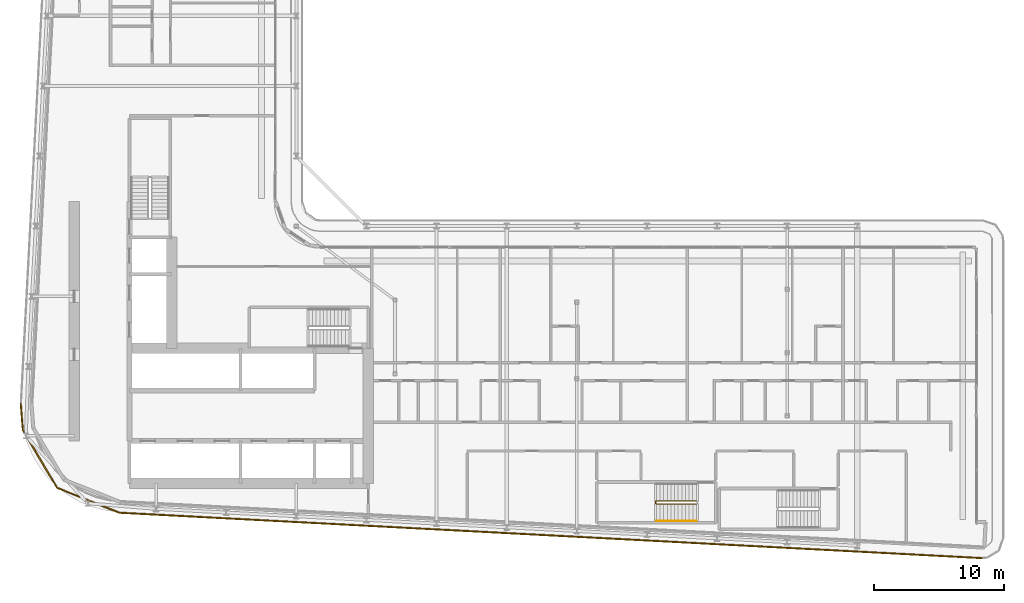
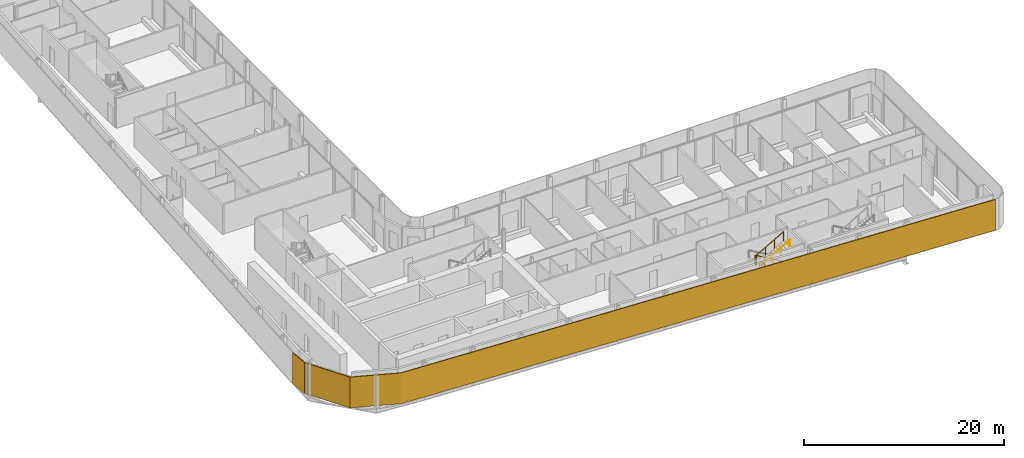
# One storey, part 25 of 29: 2 railings, 1 shading device.
"""IFC4 building model written with IfcOpenShell, lengths in metres."""

from ifc_helpers import new_model, si_unit, direction, frame, origin, origin_2d, place, context, subcontext, project, spatial, polyline, circle, outline, extrude, material, layer, layer_set, type_object, element, save


model = new_model("IFC4")

# Units and contexts
model_context = context("Model", 3, precision=1e-05, world=origin(), true_north=direction((0.0, 1.0)))
body_context = subcontext(model_context, "Body", "Model", "MODEL_VIEW")
ifc_project = project(units=[si_unit("LENGTHUNIT", "METRE"), si_unit("AREAUNIT", "SQUARE_METRE"), si_unit("VOLUMEUNIT", "CUBIC_METRE"), si_unit("PLANEANGLEUNIT", "RADIAN"), si_unit("MASSUNIT", "GRAM", prefix="KILO")], contexts=[model_context])

# Site, building, storey
site_placement = place(None, origin())
site = spatial("IfcSite", under=ifc_project, at=site_placement, CompositionType="ELEMENT")
building_placement = place(site_placement, origin())
building = spatial("IfcBuilding", under=site, at=building_placement, Name="Kheshtan School and Residences Tower", CompositionType="ELEMENT")
storey_placement = place(building_placement, frame((0.0, 0.0, 176.0)))
storey = spatial("IfcBuildingStorey", under=building, at=storey_placement, Name="L41", CompositionType="ELEMENT", Elevation=176.0)

# Shading device
ifc_material_1 = material(Name="Terracotta baguette, extruded ceramic", Category="masonry")
ifc_layer = layer(ifc_material_1, 0.10009765625)
ifc_layer_set = layer_set([ifc_layer], Name="Ledge screen, terracotta baguettes")
shading_device_type = type_object("IfcShadingDeviceType", Name="Ledge screen, terracotta baguettes", PredefinedType="USERDEFINED", material=ifc_layer_set)
shading_device_placement = place(storey_placement, origin())
element("IfcShadingDevice", 1, at=shading_device_placement, inside=storey, type_object=shading_device_type, Name="Screen L41 3", ObjectType="BAGUETTE", PredefinedType="USERDEFINED", context=body_context, shape_type="SweptSolid", body=[
    extrude(outline(polyline([(100.4208984375, 20.0830078125), (33.989013671875, 23.580078125), (29.2119140625, 25.486083984375), (26.583984375, 29.906982421875), (26.419921875, 31.989013671875), (26.320068359375, 31.98095703125), (26.486083984375, 29.8759765625), (29.14306640625, 25.406005859375), (33.967041015625, 23.48095703125), (100.416015625, 19.98291015625), (100.4208984375, 20.0830078125)])), origin(), (0.0, 0.0, 1.0), 3.75),
])

# Railings
ifc_material_2 = material(Name="Stainless steel balustrade", Category="steel")
railing_type_1 = type_object("IfcRailingType", Name="Stair guard 1100", PredefinedType="GUARDRAIL", material=ifc_material_2)
railing_1_placement = place(storey_placement, frame((78.409912109375, 24.449951171875, 0.16259765625)))
element("IfcRailing", 2, at=railing_1_placement, inside=storey, type_object=railing_type_1, Name="L41 ST5 stair guard 1", PredefinedType="GUARDRAIL", context=body_context, shape_type="SweptSolid", body=[
    extrude(circle(Radius=0.02392578125, at=origin_2d()), frame((0.0, 0.0, 1.076171875), z_axis=(-0.864903211148, 0.0, 0.501938676878), x_axis=(0.0, -1.0, 0.0)), (0.0, 0.0, 1.0), 3.560791015625),
    extrude(circle(Radius=0.02392578125, at=origin_2d()), frame((-3.079833984375, 0.0, 2.86328125), z_axis=(-0.707106781187, -0.707106781187, 0.0), x_axis=(0.707106781187, -0.707106781187, 0.0)), (0.0, 0.0, 1.0), 0.07080078125),
    extrude(circle(Radius=0.02392578125, at=origin_2d()), frame((-3.1298828125, -0.050048828125, 2.86328125), z_axis=(0.0, -1.0, 0.0), x_axis=(1.0, 0.0, 0.0)), (0.0, 0.0, 1.0), 0.14990234375),
    extrude(circle(Radius=0.02392578125, at=origin_2d()), frame((-3.1298828125, -0.199951171875, 2.86328125), z_axis=(0.282227285176, -0.282227285176, 0.916894497205), x_axis=(0.707106781187, 0.707106781187, 0.0)), (0.0, 0.0, 1.0), 0.17724609375),
    extrude(circle(Radius=0.02392578125, at=origin_2d()), frame((-3.079833984375, -0.25, 3.02587890625), z_axis=(0.864903211148, 0.0, 0.501938676878), x_axis=(0.0, 1.0, 0.0)), (0.0, 0.0, 1.0), 3.560791015625),
    extrude(circle(Radius=0.02099609375, at=origin_2d()), origin(), (0.0, 0.0, 1.0), 1.052001953125),
    extrude(circle(Radius=0.02099609375, at=origin_2d()), frame((-1.026611328125, 0.0, 0.595703125)), (0.0, 0.0, 1.0), 1.052001953125),
    extrude(circle(Radius=0.02099609375, at=origin_2d()), frame((-2.05322265625, 0.0, 1.191650390625)), (0.0, 0.0, 1.0), 1.052001953125),
    extrude(circle(Radius=0.02099609375, at=origin_2d()), frame((-3.079833984375, 0.0, 1.787353515625)), (0.0, 0.0, 1.0), 1.052001953125),
    extrude(circle(Radius=0.02099609375, at=origin_2d()), frame((-3.1298828125, -0.050048828125, 1.787353515625)), (0.0, 0.0, 1.0), 1.052001953125),
    extrude(circle(Radius=0.02099609375, at=origin_2d()), frame((-3.1298828125, -0.199951171875, 1.787353515625)), (0.0, 0.0, 1.0), 1.052001953125),
    extrude(circle(Radius=0.02099609375, at=origin_2d()), frame((-3.079833984375, -0.25, 1.949951171875)), (0.0, 0.0, 1.0), 1.052001953125),
    extrude(circle(Radius=0.02099609375, at=origin_2d()), frame((-2.05322265625, -0.25, 2.545654296875)), (0.0, 0.0, 1.0), 1.052001953125),
    extrude(circle(Radius=0.02099609375, at=origin_2d()), frame((-1.026611328125, -0.25, 3.1416015625)), (0.0, 0.0, 1.0), 1.052001953125),
    extrude(circle(Radius=0.02099609375, at=origin_2d()), frame((0.0, -0.25, 3.7373046875)), (0.0, 0.0, 1.0), 1.052001953125),
])
ifc_material_3 = material(Name="Stainless steel handrail", Category="steel")
railing_type_2 = type_object("IfcRailingType", Name="Stair handrail 900", PredefinedType="HANDRAIL", material=ifc_material_3)
railing_2_placement = place(storey_placement, frame((75.330078125, 22.89990234375, 2.112548828125)))
element("IfcRailing", 3, at=railing_2_placement, inside=storey, type_object=railing_type_2, Name="L41 ST5 stair handrail 2", PredefinedType="HANDRAIL", context=body_context, shape_type="SweptSolid", body=[
    extrude(circle(Radius=0.02392578125, at=origin_2d()), frame((0.0, 0.0, 0.8759765625), z_axis=(0.864903211148, 0.0, 0.501938676878), x_axis=(0.0, 1.0, 0.0)), (0.0, 0.0, 1.0), 3.560791015625),
    extrude(circle(Radius=0.02099609375, at=origin_2d()), origin(), (0.0, 0.0, 1.0), 0.851806640625),
    extrude(circle(Radius=0.02099609375, at=origin_2d()), frame((1.026611328125, 0.0, 0.595703125)), (0.0, 0.0, 1.0), 0.851806640625),
    extrude(circle(Radius=0.02099609375, at=origin_2d()), frame((2.05322265625, 0.0, 1.191650390625)), (0.0, 0.0, 1.0), 0.851806640625),
    extrude(circle(Radius=0.02099609375, at=origin_2d()), frame((3.079833984375, 0.0, 1.787353515625)), (0.0, 0.0, 1.0), 0.851806640625),
])

save(model, "model.ifc")
